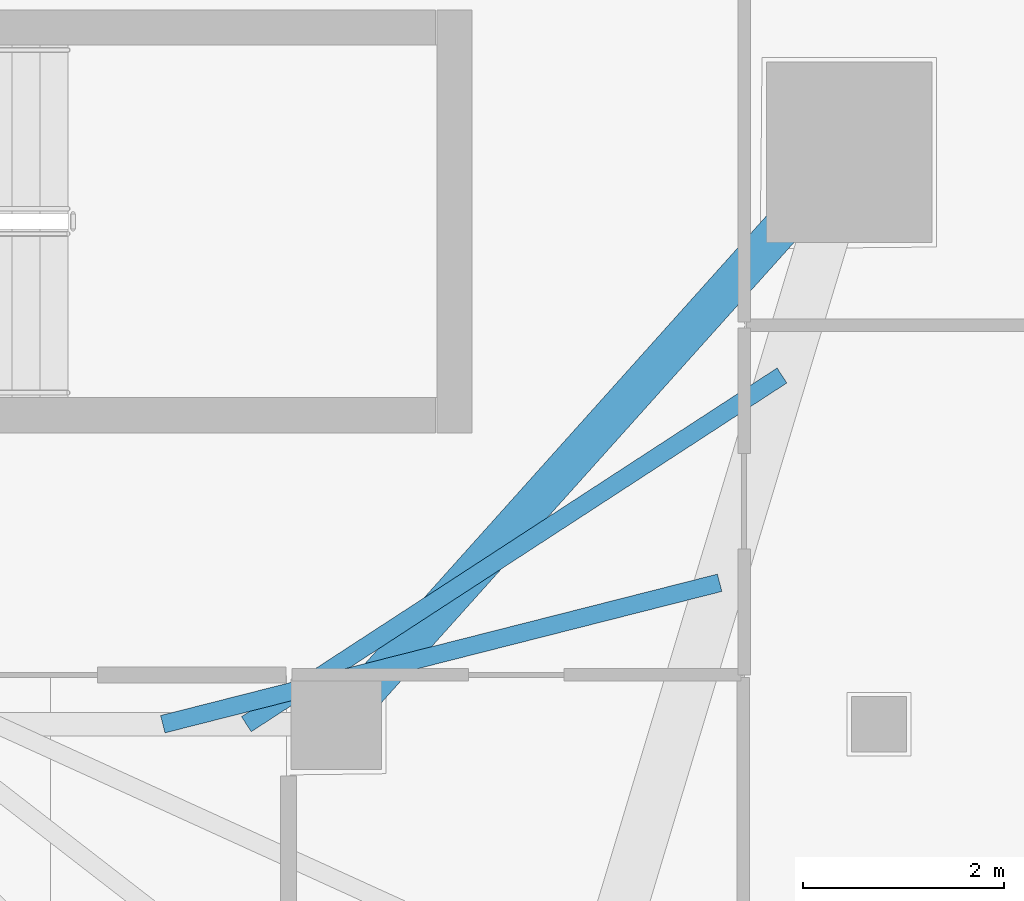
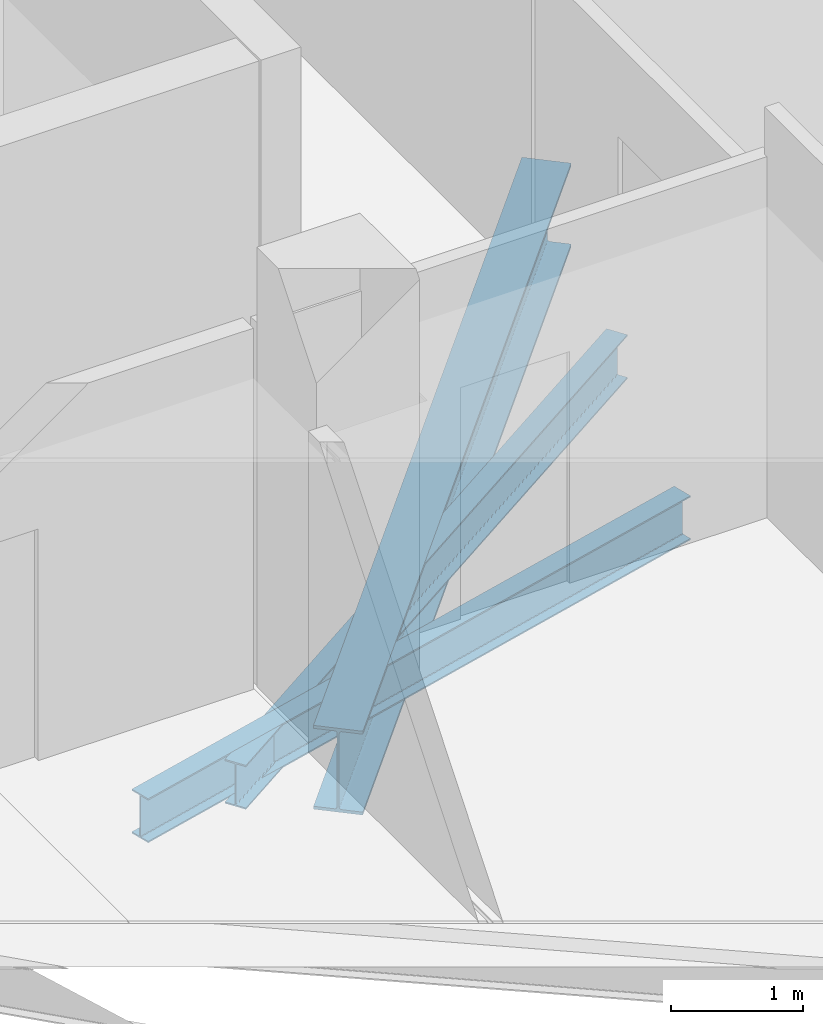
# One storey, part 14 of 40: 3 beams.
"""IFC4 building model written with IfcOpenShell, lengths in metres."""

from ifc_helpers import new_model, si_unit, direction, frame, origin, origin_2d, place, context, subcontext, project, spatial, i_section, extrude, material, material_profile, profile_set, type_object, element, save


model = new_model("IFC4")

# Units and contexts
model_context = context("Model", 3, precision=1e-05, world=origin(), true_north=direction((0.0, 1.0)))
body_context = subcontext(model_context, "Body", "Model", "MODEL_VIEW")
ifc_project = project(units=[si_unit("LENGTHUNIT", "METRE"), si_unit("AREAUNIT", "SQUARE_METRE"), si_unit("VOLUMEUNIT", "CUBIC_METRE"), si_unit("PLANEANGLEUNIT", "RADIAN"), si_unit("MASSUNIT", "GRAM", prefix="KILO")], contexts=[model_context])

# Site, building, storey
site_placement = place(None, origin())
site = spatial("IfcSite", under=ifc_project, at=site_placement, CompositionType="ELEMENT")
building_placement = place(site_placement, origin())
building = spatial("IfcBuilding", under=site, at=building_placement, Name="Qorvath Tower", CompositionType="ELEMENT")
storey_placement = place(building_placement, frame((0.0, 0.0, 225.300048828125)))
storey = spatial("IfcBuildingStorey", under=building, at=storey_placement, Name="L52", CompositionType="ELEMENT", Elevation=225.300048828125)

# Beams
ifc_material_1 = material(Name="Steel ASTM A992 Grade 50", Category="steel")
ifc_material_profile_1 = material_profile(ifc_material_1, i_section(OverallWidth=0.381103515625, OverallDepth=0.77294921875, WebThickness=0.0166015625, FlangeThickness=0.027099609375, FilletRadius=0.01904296875, at=origin_2d()), Name="W30x173")
ifc_profile_set_1 = profile_set([ifc_material_profile_1], Name="Steel ASTM A992 Grade 50")
beam_type_1 = type_object("IfcBeamType", Name="BM-FG3", PredefinedType="BEAM", material=ifc_profile_set_1)
beam_1_placement = place(storey_placement, frame((-17.199951171875, -11.449951171875, -0.656494140625), z_axis=(0.667543184261, 0.744571082669, 0.0), x_axis=(-0.744571082669, 0.667543184261, 0.0)))
element("IfcBeam", 1, at=beam_1_placement, inside=storey, type_object=beam_type_1, Name="Radial Floor Girder CC3-MC4 L52", PredefinedType="BEAM", context=body_context, shape_type="SweptSolid", body=[
    extrude(i_section(OverallWidth=0.381103515625, OverallDepth=0.77294921875, WebThickness=0.0166015625, FlangeThickness=0.027099609375, FilletRadius=0.01904296875, at=origin_2d()), origin(), (0.0, 0.0, 1.0), 7.644775390625),
])
ifc_material_2 = material(Name="Steel ASTM A992 Grade 50", Category="steel")
ifc_material_profile_2 = material_profile(ifc_material_2, i_section(OverallWidth=0.177978515625, OverallDepth=0.406005859375, WebThickness=0.0078125, FlangeThickness=0.0126953125, FilletRadius=0.010986328125, at=origin_2d()), Name="W16x40")
ifc_profile_set_2 = profile_set([ifc_material_profile_2], Name="Steel ASTM A992 Grade 50")
beam_type_2 = type_object("IfcBeamType", Name="BM-FJ3", PredefinedType="JOIST", material=ifc_profile_set_2)
beam_2_placement = place(storey_placement, frame((-18.095947265625, -11.449951171875, -0.47314453125), z_axis=(0.838041756057, 0.545606098853, 0.0), x_axis=(-0.545606098853, 0.838041756057, 0.0)))
element("IfcBeam", 2, at=beam_2_placement, inside=storey, type_object=beam_type_2, Name="Composite Floor Joist SE1 L52", PredefinedType="JOIST", context=body_context, shape_type="SweptSolid", body=[
    extrude(i_section(OverallWidth=0.177978515625, OverallDepth=0.406005859375, WebThickness=0.0078125, FlangeThickness=0.0126953125, FilletRadius=0.010986328125, at=origin_2d()), origin(), (0.0, 0.0, 1.0), 6.36083984375),
])
beam_3_placement = place(storey_placement, frame((-18.927978515625, -11.449951171875, -0.47314453125), z_axis=(0.969231577698, 0.246150662794, 0.0), x_axis=(-0.246150662794, 0.969231577698, 0.0)))
element("IfcBeam", 3, at=beam_3_placement, inside=storey, type_object=beam_type_2, Name="Composite Floor Joist SE2 L52", PredefinedType="JOIST", context=body_context, shape_type="SweptSolid", body=[
    extrude(i_section(OverallWidth=0.177978515625, OverallDepth=0.406005859375, WebThickness=0.0078125, FlangeThickness=0.0126953125, FilletRadius=0.010986328125, at=origin_2d()), origin(), (0.0, 0.0, 1.0), 5.718017578125),
])

save(model, "model.ifc")
